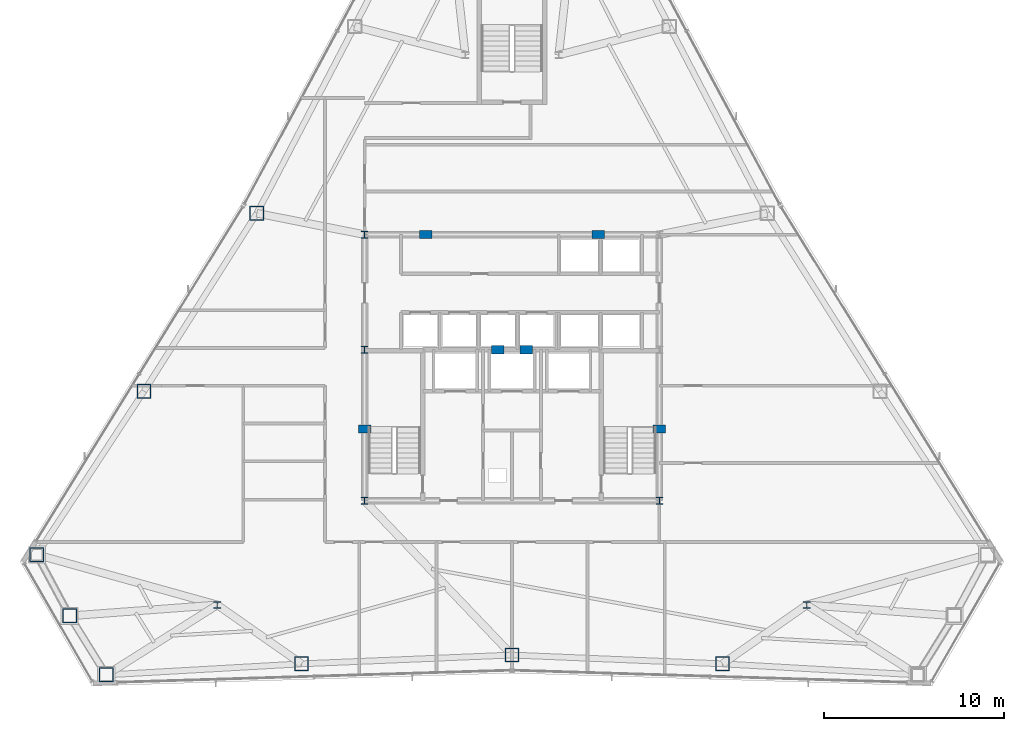
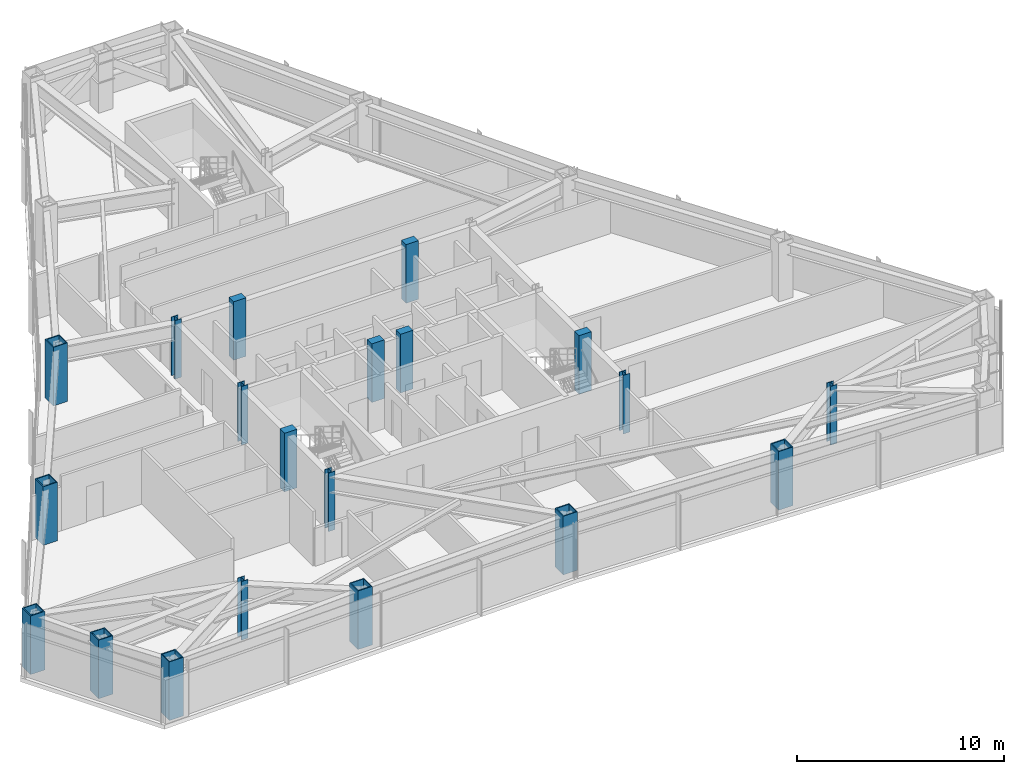
# One storey, part 1 of 13: 20 columns.
"""IFC4 building model written with IfcOpenShell, lengths in metres."""

from ifc_helpers import new_model, si_unit, direction, frame, origin, origin_2d, place, context, subcontext, project, spatial, rectangle, hollow_rectangle, i_section, extrude, material, material_profile, profile_set, type_object, element, save


model = new_model("IFC4")

# Units and contexts
model_context = context("Model", 3, precision=1e-05, world=origin(), true_north=direction((0.0, 1.0)))
body_context = subcontext(model_context, "Body", "Model", "MODEL_VIEW")
ifc_project = project(units=[si_unit("LENGTHUNIT", "METRE"), si_unit("AREAUNIT", "SQUARE_METRE"), si_unit("VOLUMEUNIT", "CUBIC_METRE"), si_unit("PLANEANGLEUNIT", "RADIAN"), si_unit("MASSUNIT", "GRAM", prefix="KILO")], contexts=[model_context])

# Site, building, storey
site_placement = place(None, origin())
site = spatial("IfcSite", under=ifc_project, at=site_placement, CompositionType="ELEMENT")
building_placement = place(site_placement, origin())
building = spatial("IfcBuilding", under=site, at=building_placement, Name="Varakhsha Concourse Tower", CompositionType="ELEMENT")
storey_placement = place(building_placement, frame((0.0, 0.0, 168.89990234375)))
storey = spatial("IfcBuildingStorey", under=building, at=storey_placement, Name="L48", CompositionType="ELEMENT", Elevation=168.89990234375)

# Columns
ifc_material_1 = material(Name="Structural Steel ASTM A992 Grade 50", Category="steel")
ifc_material_profile_1 = material_profile(ifc_material_1, i_section(OverallWidth=0.3740234375, OverallDepth=0.3720703125, WebThickness=0.01611328125, FlangeThickness=0.02587890625, at=origin_2d()), Name="W14X132")
ifc_profile_set_1 = profile_set([ifc_material_profile_1], Name="Structural Steel ASTM A992 Grade 50")
column_type_1 = type_object("IfcColumnType", Name="CL-CORE-W14X132", PredefinedType="COLUMN", material=ifc_profile_set_1)
for number, where, z_axis, x_axis, name in (
    (1, (31.800048828125, 16.39990234375, 0.0), (0.0, 0.0, 1.0), (1.0, 0.0, 0.0), "L48 Core Column CC-SW"),
    (2, (48.199951171875, 16.39990234375, 0.0), (0.0, 0.0, 1.0), (1.0, 0.0, 0.0), "L48 Core Column CC-SE"),
    (3, (31.800048828125, 24.800048828125, 0.0), (0.0, 0.0, 1.0), (1.0, 0.0, 0.0), "L48 Core Column CC-MW"),
    (4, (31.800048828125, 31.199951171875, 0.0), (0.0, 0.0, 1.0), (1.0, 0.0, 0.0), "L48 Core Column CC-NW"),
    (5, (23.60009765625, 10.60009765625, 0.0), (0.0, 0.0, 1.0), (1.0, 0.0, 0.0), "L48 Core Column SS-W"),
    (6, (56.39990234375, 10.60009765625, 0.0), (0.0, 0.0, 1.0), (1.0, 0.0, 0.0), "L48 Core Column SS-E"),
):
    element("IfcColumn", number, at=place(storey_placement, frame(where, z_axis=z_axis, x_axis=x_axis)), inside=storey, type_object=column_type_1, Name=name, PredefinedType="COLUMN", context=body_context, shape_type="SweptSolid", body=[
        extrude(i_section(OverallWidth=0.3740234375, OverallDepth=0.3720703125, WebThickness=0.01611328125, FlangeThickness=0.02587890625, at=origin_2d()), origin(), (0.0, 0.0, 1.0), 3.4501953125),
    ])
ifc_material_2 = material(Name="Concrete fc 65 MPa", Category="concrete")
ifc_material_profile_2 = material_profile(ifc_material_2, rectangle(XDim=0.699951171875, YDim=0.449951171875, at=origin_2d()), Name="RC 700x450")
ifc_profile_set_2 = profile_set([ifc_material_profile_2], Name="Concrete fc 65 MPa")
column_type_2 = type_object("IfcColumnType", Name="CL-PIL-700X450", PredefinedType="PILASTER", material=ifc_profile_set_2)
for number, where, z_axis, x_axis, name in (
    (7, (31.800048828125, 20.39990234375, 0.0), (0.0, 0.0, 1.0), (1.0, 0.0, 0.0), "L48 Core Boundary Pilaster PIL-W1"),
    (8, (48.199951171875, 20.39990234375, 0.0), (0.0, 0.0, 1.0), (1.0, 0.0, 0.0), "L48 Core Boundary Pilaster PIL-E1"),
    (9, (35.199951171875, 31.199951171875, 0.0), (0.0, 0.0, 1.0), (1.0, 0.0, 0.0), "L48 Core Boundary Pilaster PIL-N1"),
    (10, (44.800048828125, 31.199951171875, 0.0), (0.0, 0.0, 1.0), (1.0, 0.0, 0.0), "L48 Core Boundary Pilaster PIL-N2"),
    (11, (39.199951171875, 24.800048828125, 0.0), (0.0, 0.0, 1.0), (1.0, 0.0, 0.0), "L48 Core Boundary Pilaster PIL-M1"),
    (12, (40.800048828125, 24.800048828125, 0.0), (0.0, 0.0, 1.0), (1.0, 0.0, 0.0), "L48 Core Boundary Pilaster PIL-M2"),
):
    element("IfcColumn", number, at=place(storey_placement, frame(where, z_axis=z_axis, x_axis=x_axis)), inside=storey, type_object=column_type_2, Name=name, PredefinedType="PILASTER", context=body_context, shape_type="SweptSolid", body=[
        extrude(rectangle(XDim=0.699951171875, YDim=0.449951171875, at=origin_2d()), origin(), (0.0, 0.0, 1.0), 3.4501953125),
    ])
ifc_material_3 = material(Name="Structural Steel ASTM A572 Grade 50", Category="steel")
ifc_material_profile_3 = material_profile(ifc_material_3, hollow_rectangle(XDim=0.800048828125, YDim=0.800048828125, WallThickness=0.054931640625, at=origin_2d()), Name="BOX 800x800x55")
ifc_profile_set_3 = profile_set([ifc_material_profile_3], Name="Structural Steel ASTM A572 Grade 50")
column_type_3 = type_object("IfcColumnType", Name="CL-TUBE-800", PredefinedType="COLUMN", material=ifc_profile_set_3)
for number, where, z_axis, x_axis, name in (
    (13, (25.807861328125, 32.393798828125, 0.0), (0.0, 0.0, 1.0), (1.0, 0.0, 0.0), "L48 Framed-Tube Column TC05"),
    (14, (19.52734375, 22.494384765625, 0.0), (0.0, 0.0, 1.0), (1.0, 0.0, 0.0), "L48 Framed-Tube Column TC06"),
    (15, (13.563720703125, 13.397705078125, 0.0), (0.0, 0.0, 1.0), (1.0, 0.0, 0.0), "L48 Framed-Tube Column TC07"),
    (16, (15.388916015625, 9.99072265625, 0.0), (0.0, 0.0, 1.0), (1.0, 0.0, 0.0), "L48 Framed-Tube Column TC08"),
    (17, (17.4267578125, 6.70654296875, 0.0), (0.0, 0.0, 1.0), (1.0, 0.0, 0.0), "L48 Framed-Tube Column TC09"),
    (18, (28.28662109375, 7.322998046875, 0.0), (0.0, 0.0, 1.0), (1.0, 0.0, 0.0), "L48 Framed-Tube Column TC10"),
    (19, (40.0, 7.812255859375, 0.0), (0.0, 0.0, 1.0), (1.0, 0.0, 0.0), "L48 Framed-Tube Column TC11"),
    (20, (51.71337890625, 7.322998046875, 0.0), (0.0, 0.0, 1.0), (1.0, 0.0, 0.0), "L48 Framed-Tube Column TC12"),
):
    element("IfcColumn", number, at=place(storey_placement, frame(where, z_axis=z_axis, x_axis=x_axis)), inside=storey, type_object=column_type_3, Name=name, PredefinedType="COLUMN", context=body_context, shape_type="SweptSolid", body=[
        extrude(hollow_rectangle(XDim=0.800048828125, YDim=0.800048828125, WallThickness=0.054931640625, at=origin_2d()), origin(), (0.0, 0.0, 1.0), 3.4501953125),
    ])

save(model, "model.ifc")
